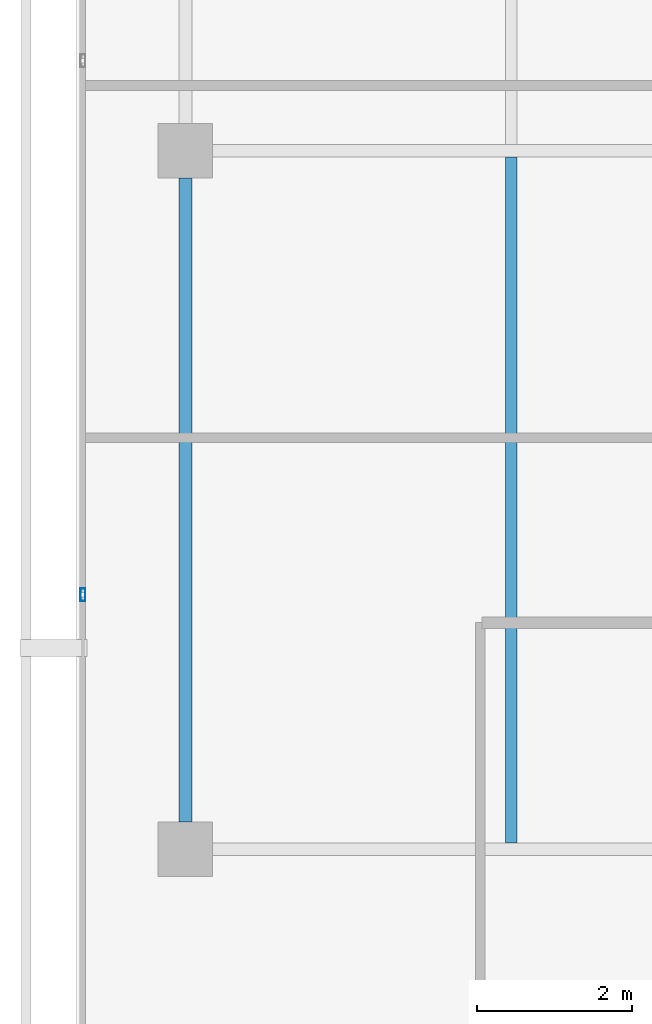
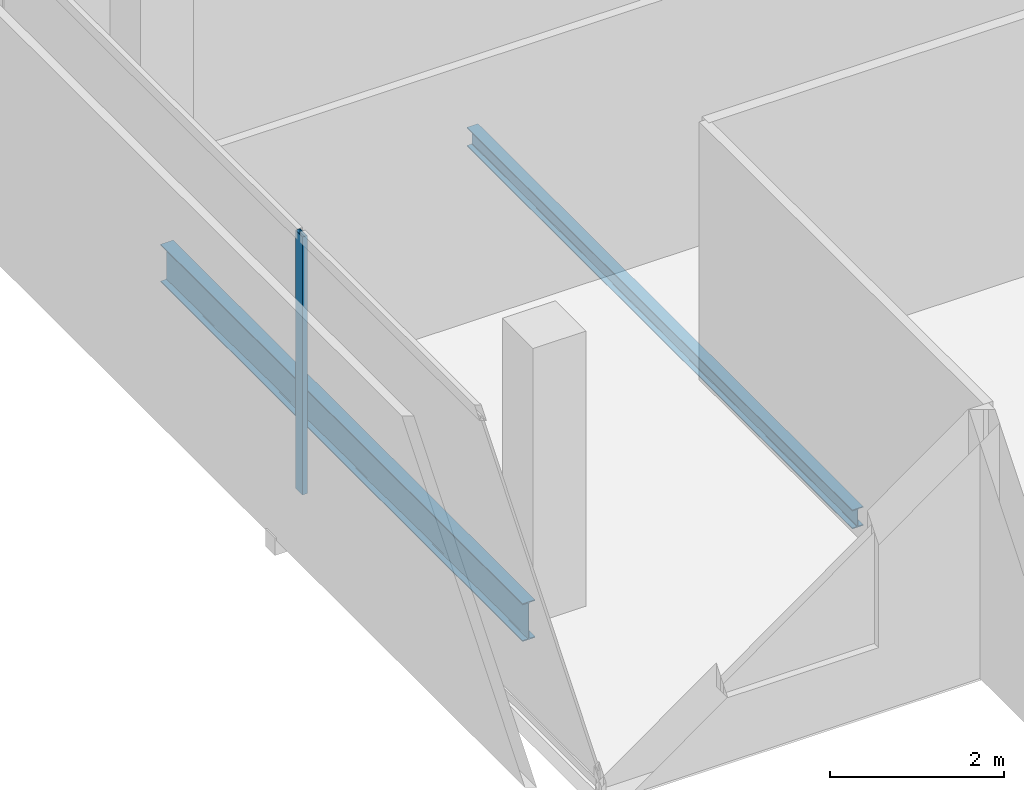
# One storey, part 4 of 25: 2 beams, 1 member, 1 element without a shape of its own.
"""IFC4 building model written with IfcOpenShell, lengths in metres."""

from ifc_helpers import new_model, si_unit, direction, frame, origin, origin_2d, place, context, subcontext, project, spatial, hollow_rectangle, i_section, extrude, material, layer, layer_set, material_profile, profile_set, type_object, element, aggregate, save


model = new_model("IFC4")

# Units and contexts
model_context = context("Model", 3, precision=1e-05, world=origin(), true_north=direction((0.0, 1.0)))
body_context = subcontext(model_context, "Body", "Model", "MODEL_VIEW")
ifc_project = project(units=[si_unit("LENGTHUNIT", "METRE"), si_unit("AREAUNIT", "SQUARE_METRE"), si_unit("VOLUMEUNIT", "CUBIC_METRE"), si_unit("PLANEANGLEUNIT", "RADIAN"), si_unit("MASSUNIT", "GRAM", prefix="KILO")], contexts=[model_context])

# Site, building, storey
site_placement = place(None, origin())
site = spatial("IfcSite", under=ifc_project, at=site_placement, CompositionType="ELEMENT")
building_placement = place(site_placement, origin())
building = spatial("IfcBuilding", under=site, at=building_placement, Name="Maruvema Waterfront Hotel and Observation Tower", CompositionType="ELEMENT")
storey_placement = place(building_placement, frame((0.0, 0.0, 304.85009765625)))
storey = spatial("IfcBuildingStorey", under=building, at=storey_placement, Name="L75", CompositionType="ELEMENT", Elevation=304.85009765625)

# Curtain wall, member
ifc_material_1 = material(Name="Anodised bronze aluminium and solar-control low-E IGU", Category="aluminium")
ifc_layer = layer(ifc_material_1, 0.159912109375, Name="Zone 3 Champagne Inner Thermal Curtain Wall System CW-04")
ifc_layer_set = layer_set([ifc_layer], Name="Anodised bronze aluminium and solar-control low-E IGU")
curtain_wall_type = type_object("IfcCurtainWallType", Name="Zone 3 Champagne Inner Thermal Curtain Wall System CW-04", PredefinedType="USERDEFINED", material=ifc_layer_set)
curtain_wall_placement = place(storey_placement, origin())
curtain_wall = element("IfcCurtainWall", 1, at=curtain_wall_placement, inside=storey, type_object=curtain_wall_type, Name="L75 Curtain Wall CW-L75-W", ObjectType="UNITISED CURTAIN WALL", PredefinedType="USERDEFINED")
ifc_material_2 = material(Name="Anodised architectural bronze aluminium", Category="aluminium")
ifc_material_profile_1 = material_profile(ifc_material_2, hollow_rectangle(XDim=0.06494140625, YDim=0.1650390625, WallThickness=0.00390625, at=origin_2d()), Name="ALU-M65x165")
ifc_profile_set_1 = profile_set([ifc_material_profile_1], Name="Anodised architectural bronze aluminium")
member_type = type_object("IfcMemberType", Name="Curtain Wall Primary Mullion ALU-M65x165", PredefinedType="MULLION", material=ifc_profile_set_1)
member_placement = place(storey_placement, frame((15.47998046875, 21.280029296875, 0.0), z_axis=(0.0, 0.0, 1.0), x_axis=(1.0, 0.0, 0.0)))
member = element("IfcMember", 2, at=member_placement, type_object=member_type, Name="CW-04 mullion 5", PredefinedType="MULLION", context=body_context, shape_type="SweptSolid", body=[
    extrude(hollow_rectangle(XDim=0.06494140625, YDim=0.1650390625, WallThickness=0.00390625, at=origin_2d()), origin(), (0.0, 0.0, 1.0), 3.60986328125),
])
aggregate(curtain_wall, [member])

# Beams
ifc_material_3 = material(Name="Steel ASTM A572 Grade 50", Category="steel")
ifc_material_profile_2 = material_profile(ifc_material_3, i_section(OverallWidth=0.166015625, OverallDepth=0.529052734375, WebThickness=0.009765625, FlangeThickness=0.013671875, FilletRadius=0.014892578125, at=origin_2d()), Name="W530x74.0")
ifc_profile_set_2 = profile_set([ifc_material_profile_2], Name="Steel ASTM A572 Grade 50")
beam_type_1 = type_object("IfcBeamType", Name="Primary Floor Girder W530x74.0", PredefinedType="BEAM", material=ifc_profile_set_2)
beam_1_placement = place(storey_placement, frame((16.800048828125, 18.35009765625, -0.504638671875), z_axis=(0.0, 1.0, 0.0), x_axis=(-1.0, 0.0, 0.0)))
element("IfcBeam", 3, at=beam_1_placement, inside=storey, type_object=beam_type_1, Name="L75 Floor Girder NS-01", PredefinedType="BEAM", context=body_context, shape_type="SweptSolid", body=[
    extrude(i_section(OverallWidth=0.166015625, OverallDepth=0.529052734375, WebThickness=0.009765625, FlangeThickness=0.013671875, FilletRadius=0.014892578125, at=origin_2d()), origin(), (0.0, 0.0, 1.0), 8.2998046875),
])
ifc_material_4 = material(Name="Steel ASTM A572 Grade 50", Category="steel")
ifc_material_profile_3 = material_profile(ifc_material_4, i_section(OverallWidth=0.14794921875, OverallDepth=0.26611328125, WebThickness=0.007568359375, FlangeThickness=0.012939453125, FilletRadius=0.012939453125, at=origin_2d()), Name="W250x44.8")
ifc_profile_set_3 = profile_set([ifc_material_profile_3], Name="Steel ASTM A572 Grade 50")
beam_type_2 = type_object("IfcBeamType", Name="Secondary Floor Joist W250x44.8", PredefinedType="JOIST", material=ifc_profile_set_3)
beam_2_placement = place(storey_placement, frame((21.0, 18.0830078125, -0.373046875), z_axis=(0.0, 1.0, 0.0), x_axis=(-1.0, 0.0, 0.0)))
element("IfcBeam", 4, at=beam_2_placement, inside=storey, type_object=beam_type_2, Name="L75 Secondary Floor Joist JS-01", PredefinedType="JOIST", context=body_context, shape_type="SweptSolid", body=[
    extrude(i_section(OverallWidth=0.14794921875, OverallDepth=0.26611328125, WebThickness=0.007568359375, FlangeThickness=0.012939453125, FilletRadius=0.012939453125, at=origin_2d()), origin(), (0.0, 0.0, 1.0), 8.833984375),
])

save(model, "model.ifc")
